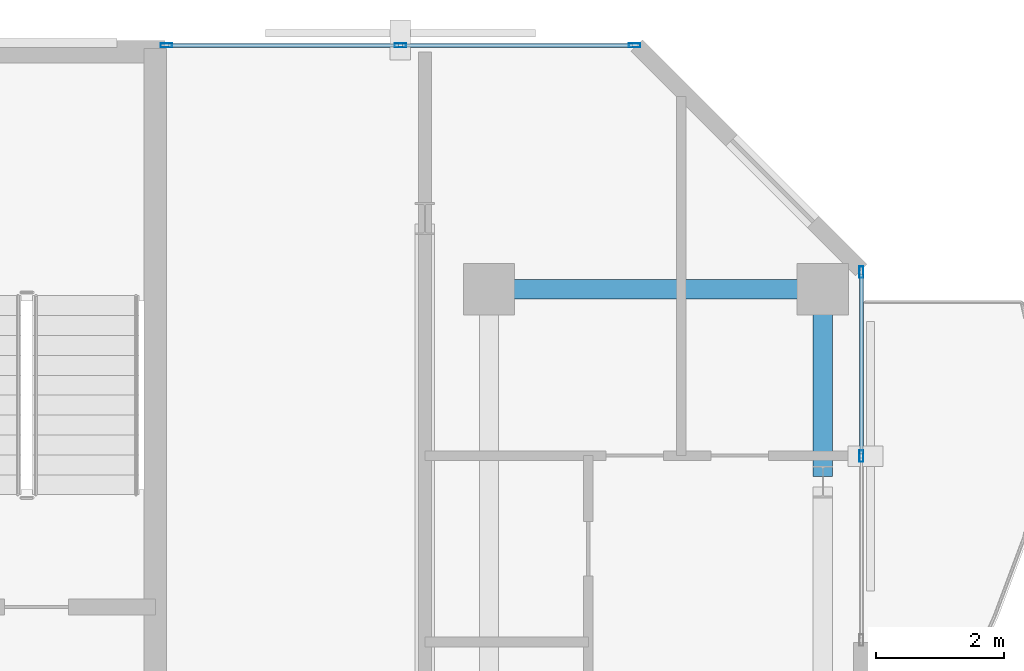
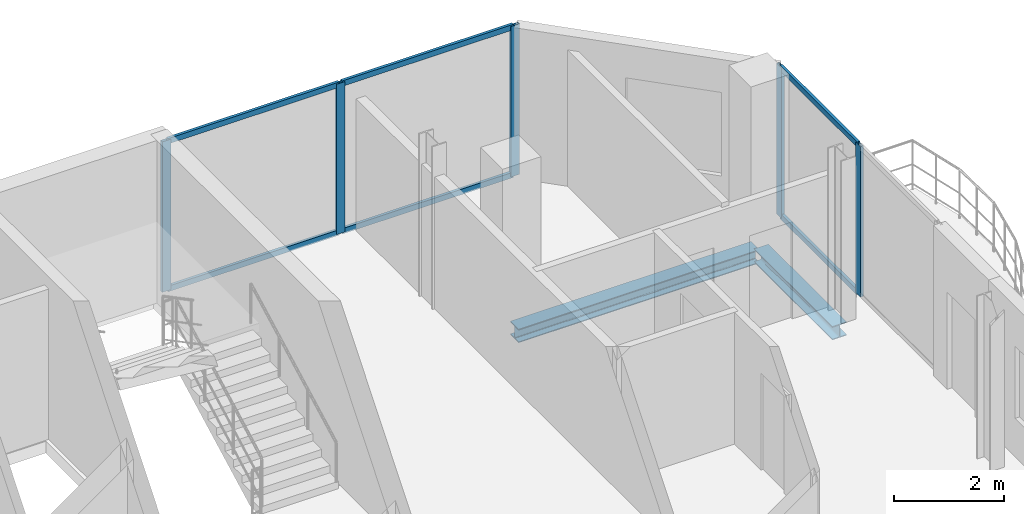
# One storey, part 16 of 23: 11 members, 2 beams, 2 elements without a shape of their own.
"""IFC4 building model written with IfcOpenShell, lengths in metres."""

from ifc_helpers import new_model, si_unit, direction, frame, origin, origin_2d, place, context, subcontext, project, spatial, hollow_rectangle, i_section, extrude, material, layer, layer_set, material_profile, profile_set, type_object, element, aggregate, save


model = new_model("IFC4")

# Units and contexts
model_context = context("Model", 3, precision=1e-05, world=origin(), true_north=direction((0.0, 1.0)))
body_context = subcontext(model_context, "Body", "Model", "MODEL_VIEW")
ifc_project = project(units=[si_unit("LENGTHUNIT", "METRE"), si_unit("AREAUNIT", "SQUARE_METRE"), si_unit("VOLUMEUNIT", "CUBIC_METRE"), si_unit("PLANEANGLEUNIT", "RADIAN"), si_unit("MASSUNIT", "GRAM", prefix="KILO")], contexts=[model_context])

# Site, building, storey
site_placement = place(None, origin())
site = spatial("IfcSite", under=ifc_project, at=site_placement, CompositionType="ELEMENT")
building_placement = place(site_placement, origin())
building = spatial("IfcBuilding", under=site, at=building_placement, Name="Catumbela Crestline Tower", CompositionType="ELEMENT")
storey_placement = place(building_placement, frame((0.0, 0.0, 172.2)))
storey = spatial("IfcBuildingStorey", under=building, at=storey_placement, Name="L44", CompositionType="ELEMENT", Elevation=172.2)

# Curtain wall, members
ifc_material_1 = material(Name="Aluminium alloy AW-6060-T66", Category="aluminium")
ifc_layer = layer(ifc_material_1, 0.18, Name="Aluminium alloy AW-6060-T66")
ifc_layer_set = layer_set([ifc_layer], Name="Aluminium alloy AW-6060-T66")
curtain_wall_type = type_object("IfcCurtainWallType", Name="CWU-Z3", PredefinedType="USERDEFINED", material=ifc_layer_set)
curtain_wall_1_placement = place(storey_placement, origin())
curtain_wall_1 = element("IfcCurtainWall", 1, at=curtain_wall_1_placement, inside=storey, type_object=curtain_wall_type, Name="L44 Unitised Curtain Wall CW-L44-E5S2", ObjectType="UNITISED", PredefinedType="USERDEFINED")
ifc_material_profile_1 = material_profile(ifc_material_1, hollow_rectangle(XDim=0.065, YDim=0.18, WallThickness=0.004, at=origin_2d()), Name="ALU 180x65x4")
ifc_profile_set_1 = profile_set([ifc_material_profile_1], Name="Aluminium alloy AW-6060-T66")
member_type_1 = type_object("IfcMemberType", Name="MUL-180X65", PredefinedType="MULLION", material=ifc_profile_set_1)
member_1_placement = place(storey_placement, frame((51.0, 36.6, 0.0), z_axis=(0.0, 0.0, 1.0), x_axis=(-1.0, 0.0, 0.0)))
member_1 = element("IfcMember", 2, at=member_1_placement, type_object=member_type_1, Name="CWU-Z3 mullion 2", PredefinedType="MULLION", context=body_context, shape_type="SweptSolid", body=[
    extrude(hollow_rectangle(XDim=0.065, YDim=0.18, WallThickness=0.004, at=origin_2d()), origin(), (0.0, 0.0, 1.0), 3.33),
])
member_2_placement = place(storey_placement, frame((51.0, 39.4675, 0.0), z_axis=(0.0, 0.0, 1.0), x_axis=(-1.0, 0.0, 0.0)))
member_2 = element("IfcMember", 3, at=member_2_placement, type_object=member_type_1, Name="CWU-Z3 mullion 3", PredefinedType="MULLION", context=body_context, shape_type="SweptSolid", body=[
    extrude(hollow_rectangle(XDim=0.065, YDim=0.18, WallThickness=0.004, at=origin_2d()), origin(), (0.0, 0.0, 1.0), 3.33),
])

curtain_wall_2_placement = place(storey_placement, origin())
curtain_wall_2 = element("IfcCurtainWall", 4, at=curtain_wall_2_placement, inside=storey, type_object=curtain_wall_type, Name="L44 Unitised Curtain Wall CW-L44-E7S1", ObjectType="UNITISED", PredefinedType="USERDEFINED")
member_3_placement = place(storey_placement, frame((47.4675, 43.0, 0.0), z_axis=(0.0, 0.0, 1.0), x_axis=(0.0, -1.0, 0.0)))
member_3 = element("IfcMember", 5, at=member_3_placement, type_object=member_type_1, Name="CWU-Z3 mullion 1", PredefinedType="MULLION", context=body_context, shape_type="SweptSolid", body=[
    extrude(hollow_rectangle(XDim=0.065, YDim=0.18, WallThickness=0.004, at=origin_2d()), origin(), (0.0, 0.0, 1.0), 3.33),
])
member_4_placement = place(storey_placement, frame((43.82, 43.0, 0.0), z_axis=(0.0, 0.0, 1.0), x_axis=(0.0, -1.0, 0.0)))
member_4 = element("IfcMember", 6, at=member_4_placement, type_object=member_type_1, Name="CWU-Z3 mullion 2", PredefinedType="MULLION", context=body_context, shape_type="SweptSolid", body=[
    extrude(hollow_rectangle(XDim=0.065, YDim=0.18, WallThickness=0.004, at=origin_2d()), origin(), (0.0, 0.0, 1.0), 3.33),
])
member_5_placement = place(storey_placement, frame((40.1725, 43.0, 0.0), z_axis=(0.0, 0.0, 1.0), x_axis=(0.0, -1.0, 0.0)))
member_5 = element("IfcMember", 7, at=member_5_placement, type_object=member_type_1, Name="CWU-Z3 mullion 3", PredefinedType="MULLION", context=body_context, shape_type="SweptSolid", body=[
    extrude(hollow_rectangle(XDim=0.065, YDim=0.18, WallThickness=0.004, at=origin_2d()), origin(), (0.0, 0.0, 1.0), 3.33),
])

# Beams
ifc_material_2 = material(Name="Structural steel S355J2", Category="steel")
ifc_material_profile_2 = material_profile(ifc_material_2, i_section(OverallWidth=0.3, OverallDepth=0.3, WebThickness=0.011, FlangeThickness=0.019, FilletRadius=0.027, at=origin_2d()), Name="HEB 300")
ifc_profile_set_2 = profile_set([ifc_material_profile_2], Name="Structural steel S355J2")
beam_type = type_object("IfcBeamType", Name="BS-HEB300", PredefinedType="SPANDREL", material=ifc_profile_set_2)
beam_1_placement = place(storey_placement, frame((45.28, 39.2, -0.41), z_axis=(1.0, 0.0, 0.0), x_axis=(0.0, 1.0, 0.0)))
element("IfcBeam", 8, at=beam_1_placement, inside=storey, type_object=beam_type, Name="L44 Spandrel SP-L44-N13", PredefinedType="SPANDREL", context=body_context, shape_type="SweptSolid", body=[
    extrude(i_section(OverallWidth=0.3, OverallDepth=0.3, WebThickness=0.011, FlangeThickness=0.019, FilletRadius=0.027, at=origin_2d()), origin(), (0.0, 0.0, 1.0), 5.04),
])
beam_2_placement = place(storey_placement, frame((50.4, 36.28, -0.41), z_axis=(0.0, 1.0, 0.0), x_axis=(-1.0, 0.0, 0.0)))
element("IfcBeam", 9, at=beam_2_placement, inside=storey, type_object=beam_type, Name="L44 Spandrel SP-L44-SN25", PredefinedType="SPANDREL", context=body_context, shape_type="SweptSolid", body=[
    extrude(i_section(OverallWidth=0.3, OverallDepth=0.3, WebThickness=0.011, FlangeThickness=0.019, FilletRadius=0.027, at=origin_2d()), origin(), (0.0, 0.0, 1.0), 2.84),
])

# Member
ifc_material_profile_3 = material_profile(ifc_material_1, hollow_rectangle(XDim=0.06, YDim=0.12, WallThickness=0.0035, at=origin_2d()), Name="ALU 120x60x3.5")
ifc_profile_set_3 = profile_set([ifc_material_profile_3], Name="Aluminium alloy AW-6060-T66")
member_type_2 = type_object("IfcMemberType", Name="TRN-120X60", PredefinedType="USERDEFINED", material=ifc_profile_set_3)
member_6_placement = place(storey_placement, frame((51.0, 36.6325, 0.03), z_axis=(0.0, 1.0, 0.0), x_axis=(-1.0, 0.0, 0.0)))
member_6 = element("IfcMember", 10, at=member_6_placement, type_object=member_type_2, Name="CWU-Z3 transom 2.1", ObjectType="TRANSOM", PredefinedType="USERDEFINED", context=body_context, shape_type="SweptSolid", body=[
    extrude(hollow_rectangle(XDim=0.06, YDim=0.12, WallThickness=0.0035, at=origin_2d()), origin(), (0.0, 0.0, 1.0), 2.8025),
])

member_7_placement = place(storey_placement, frame((51.0, 36.6325, 3.3), z_axis=(0.0, 1.0, 0.0), x_axis=(-1.0, 0.0, 0.0)))
member_7 = element("IfcMember", 11, at=member_7_placement, type_object=member_type_2, Name="CWU-Z3 transom 2.2", ObjectType="TRANSOM", PredefinedType="USERDEFINED", context=body_context, shape_type="SweptSolid", body=[
    extrude(hollow_rectangle(XDim=0.06, YDim=0.12, WallThickness=0.0035, at=origin_2d()), origin(), (0.0, 0.0, 1.0), 2.8025),
])

aggregate(curtain_wall_1, [member_1, member_2, member_6, member_7])

member_8_placement = place(storey_placement, frame((47.435, 43.0, 0.03), z_axis=(-1.0, 0.0, 0.0), x_axis=(0.0, -1.0, 0.0)))
member_8 = element("IfcMember", 12, at=member_8_placement, type_object=member_type_2, Name="CWU-Z3 transom 1.1", ObjectType="TRANSOM", PredefinedType="USERDEFINED", context=body_context, shape_type="SweptSolid", body=[
    extrude(hollow_rectangle(XDim=0.06, YDim=0.12, WallThickness=0.0035, at=origin_2d()), origin(), (0.0, 0.0, 1.0), 3.5825),
])

member_9_placement = place(storey_placement, frame((47.435, 43.0, 3.3), z_axis=(-1.0, 0.0, 0.0), x_axis=(0.0, -1.0, 0.0)))
member_9 = element("IfcMember", 13, at=member_9_placement, type_object=member_type_2, Name="CWU-Z3 transom 1.2", ObjectType="TRANSOM", PredefinedType="USERDEFINED", context=body_context, shape_type="SweptSolid", body=[
    extrude(hollow_rectangle(XDim=0.06, YDim=0.12, WallThickness=0.0035, at=origin_2d()), origin(), (0.0, 0.0, 1.0), 3.5825),
])

member_10_placement = place(storey_placement, frame((43.7875, 43.0, 0.03), z_axis=(-1.0, 0.0, 0.0), x_axis=(0.0, -1.0, 0.0)))
member_10 = element("IfcMember", 14, at=member_10_placement, type_object=member_type_2, Name="CWU-Z3 transom 2.1", ObjectType="TRANSOM", PredefinedType="USERDEFINED", context=body_context, shape_type="SweptSolid", body=[
    extrude(hollow_rectangle(XDim=0.06, YDim=0.12, WallThickness=0.0035, at=origin_2d()), origin(), (0.0, 0.0, 1.0), 3.5825),
])

member_11_placement = place(storey_placement, frame((43.7875, 43.0, 3.3), z_axis=(-1.0, 0.0, 0.0), x_axis=(0.0, -1.0, 0.0)))
member_11 = element("IfcMember", 15, at=member_11_placement, type_object=member_type_2, Name="CWU-Z3 transom 2.2", ObjectType="TRANSOM", PredefinedType="USERDEFINED", context=body_context, shape_type="SweptSolid", body=[
    extrude(hollow_rectangle(XDim=0.06, YDim=0.12, WallThickness=0.0035, at=origin_2d()), origin(), (0.0, 0.0, 1.0), 3.5825),
])

aggregate(curtain_wall_2, [member_3, member_4, member_5, member_8, member_9, member_10, member_11])

save(model, "model.ifc")
